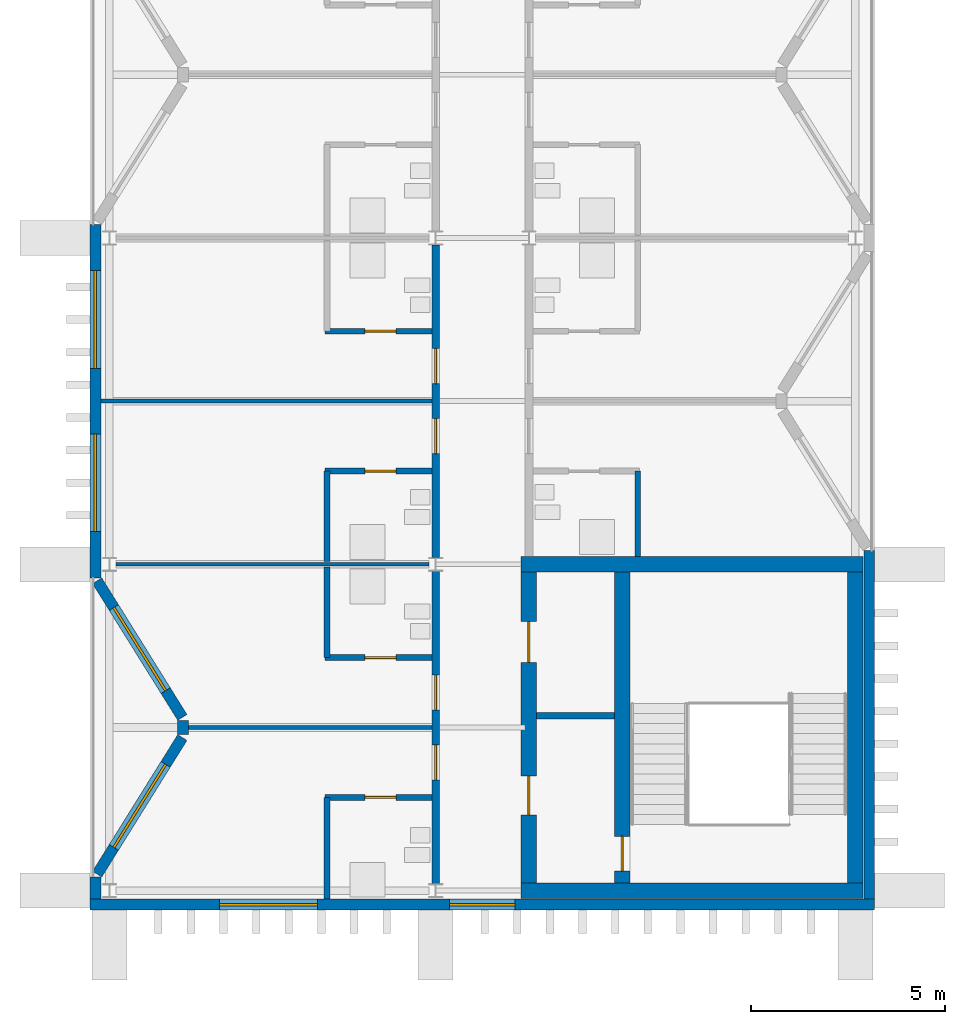
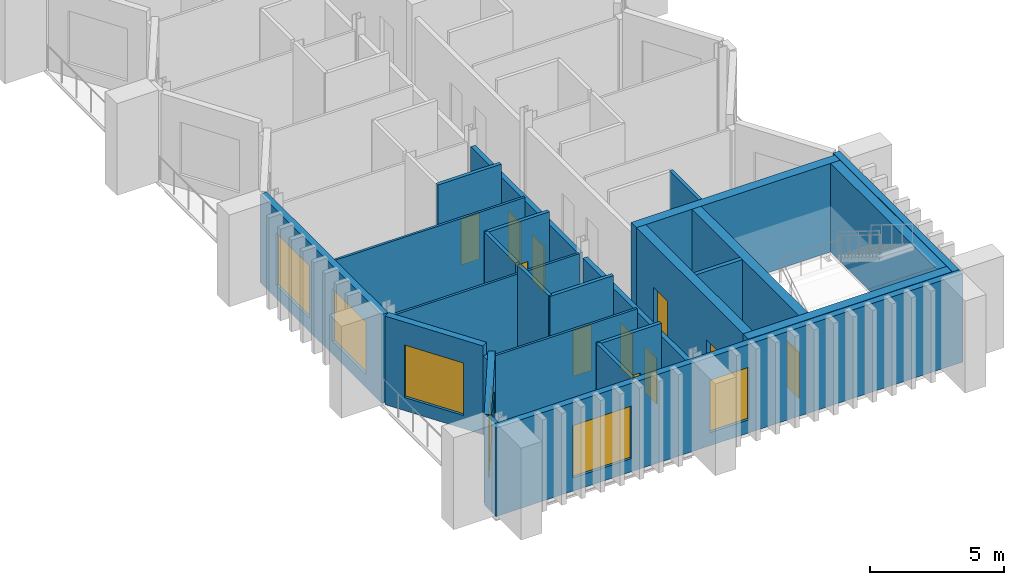
# One storey, part 4 of 11: 26 walls, 11 doors, 6 windows, 17 openings.
"""IFC4 building model written with IfcOpenShell, lengths in metres."""

from ifc_helpers import new_model, si_unit, direction, frame, frame_2d, origin, place, context, subcontext, project, spatial, rectangle, extrude, material, layer, layer_set, type_object, element, fill, save


model = new_model("IFC4")

# Units and contexts
model_context = context("Model", 3, precision=1e-05, world=origin(), true_north=direction((0.0, 1.0)))
body_context = subcontext(model_context, "Body", "Model", "MODEL_VIEW")
ifc_project = project(units=[si_unit("LENGTHUNIT", "METRE"), si_unit("AREAUNIT", "SQUARE_METRE"), si_unit("VOLUMEUNIT", "CUBIC_METRE"), si_unit("PLANEANGLEUNIT", "RADIAN"), si_unit("MASSUNIT", "GRAM", prefix="KILO")], contexts=[model_context])

# Site, building, storey
site_placement = place(None, origin())
site = spatial("IfcSite", under=ifc_project, at=site_placement, CompositionType="ELEMENT")
building_placement = place(site_placement, origin())
building = spatial("IfcBuilding", under=site, at=building_placement, Name="Cresset Court Congress Hotel", CompositionType="ELEMENT")
storey_placement = place(building_placement, frame((0.0, 0.0, 48.0)))
storey = spatial("IfcBuildingStorey", under=building, at=storey_placement, Name="L11", CompositionType="ELEMENT", Elevation=48.0)

# Wall, openings, doors
ifc_material_1 = material(Name="Gypsum board partition")
ifc_layer_1 = layer(ifc_material_1, 0.199951171875)
ifc_layer_set_1 = layer_set([ifc_layer_1], Name="Corridor wall 200")
wall_type_1 = type_object("IfcWallType", Name="Corridor wall 200", PredefinedType="PARTITIONING", material=ifc_layer_set_1)
wall_1_placement = place(storey_placement, frame((165.60009765625, 0.175048828125, 0.0), z_axis=(0.0, 0.0, 1.0), x_axis=(0.0, 1.0, 0.0)))
wall_1 = element("IfcWall", 1, at=wall_1_placement, inside=storey, type_object=wall_type_1, Name="A.wl.L11.070", PredefinedType="PARTITIONING", context=body_context, shape_type="SweptSolid", body=[
    extrude(rectangle(XDim=8.050048828125, YDim=0.199951171875, at=frame_2d((4.02490234375, 0.0))), origin(), (0.0, 0.0, 1.0), 3.449951171875),
])
opening_1_placement = place(wall_1_placement, frame((2.675048828125, 0.0, 0.0)))
opening_1 = element("IfcOpeningElement", 2, at=opening_1_placement, cuts=wall_1, Name="Opening DA-11-02", PredefinedType="OPENING", context=body_context, shape_type="SweptSolid", body=[
    extrude(rectangle(XDim=0.89990234375, YDim=2.10009765625, at=frame_2d((0.449951171875, 1.050048828125))), frame((0.0, 0.10986328125, 0.0), z_axis=(0.0, -1.0, 0.0), x_axis=(1.0, 0.0, 0.0)), (0.0, 0.0, 1.0), 0.219970703125),
])
opening_2_placement = place(wall_1_placement, frame((4.47509765625, 0.0, 0.0)))
opening_2 = element("IfcOpeningElement", 3, at=opening_2_placement, cuts=wall_1, Name="Opening DA-11-04", PredefinedType="OPENING", context=body_context, shape_type="SweptSolid", body=[
    extrude(rectangle(XDim=0.89990234375, YDim=2.10009765625, at=frame_2d((0.449951171875, 1.050048828125))), frame((0.0, 0.10986328125, 0.0), z_axis=(0.0, -1.0, 0.0), x_axis=(1.0, 0.0, 0.0)), (0.0, 0.0, 1.0), 0.219970703125),
])
ifc_material_2 = material(Name="timber", Category="wood")
door_type_1 = type_object("IfcDoorType", Name="Guest-room entry door 900x2100 FD30S", OperationType="SINGLE_SWING_LEFT", PredefinedType="DOOR", material=ifc_material_2)
door_1_placement = place(opening_1_placement, origin())
door_1 = element("IfcDoor", 4, at=door_1_placement, inside=storey, type_object=door_type_1, Name="Door DA-11-02", OperationType="SINGLE_SWING_RIGHT", OverallHeight=2.10009765625, OverallWidth=0.89990234375, PredefinedType="DOOR", context=body_context, shape_type="SweptSolid", body=[
    extrude(rectangle(XDim=0.89990234375, YDim=2.10009765625, at=frame_2d((0.449951171875, 1.050048828125))), frame((0.0, 0.02490234375, 0.0), z_axis=(0.0, -1.0, 0.0), x_axis=(1.0, 0.0, 0.0)), (0.0, 0.0, 1.0), 0.050048828125),
])
fill(opening_1, door_1)
door_2_placement = place(opening_2_placement, origin())
door_2 = element("IfcDoor", 5, at=door_2_placement, inside=storey, type_object=door_type_1, Name="Door DA-11-04", OperationType="SINGLE_SWING_LEFT", OverallHeight=2.10009765625, OverallWidth=0.89990234375, PredefinedType="DOOR", context=body_context, shape_type="SweptSolid", body=[
    extrude(rectangle(XDim=0.89990234375, YDim=2.10009765625, at=frame_2d((0.449951171875, 1.050048828125))), frame((0.0, 0.02490234375, 0.0), z_axis=(0.0, -1.0, 0.0), x_axis=(1.0, 0.0, 0.0)), (0.0, 0.0, 1.0), 0.050048828125),
])
fill(opening_2, door_2)

wall_2_placement = place(storey_placement, frame((165.60009765625, 8.574951171875, 0.0), z_axis=(0.0, 0.0, 1.0), x_axis=(0.0, 1.0, 0.0)))
wall_2 = element("IfcWall", 6, at=wall_2_placement, inside=storey, type_object=wall_type_1, Name="A.wl.L11.071", PredefinedType="PARTITIONING", context=body_context, shape_type="SweptSolid", body=[
    extrude(rectangle(XDim=8.050048828125, YDim=0.199951171875, at=frame_2d((4.02490234375, 0.0))), origin(), (0.0, 0.0, 1.0), 3.449951171875),
])
opening_3_placement = place(wall_2_placement, frame((2.675048828125, 0.0, 0.0)))
opening_3 = element("IfcOpeningElement", 7, at=opening_3_placement, cuts=wall_2, Name="Opening DA-11-06", PredefinedType="OPENING", context=body_context, shape_type="SweptSolid", body=[
    extrude(rectangle(XDim=0.89990234375, YDim=2.10009765625, at=frame_2d((0.449951171875, 1.050048828125))), frame((0.0, 0.10986328125, 0.0), z_axis=(0.0, -1.0, 0.0), x_axis=(1.0, 0.0, 0.0)), (0.0, 0.0, 1.0), 0.219970703125),
])
opening_4_placement = place(wall_2_placement, frame((4.47509765625, 0.0, 0.0)))
opening_4 = element("IfcOpeningElement", 8, at=opening_4_placement, cuts=wall_2, Name="Opening DA-11-08", PredefinedType="OPENING", context=body_context, shape_type="SweptSolid", body=[
    extrude(rectangle(XDim=0.89990234375, YDim=2.10009765625, at=frame_2d((0.449951171875, 1.050048828125))), frame((0.0, 0.10986328125, 0.0), z_axis=(0.0, -1.0, 0.0), x_axis=(1.0, 0.0, 0.0)), (0.0, 0.0, 1.0), 0.219970703125),
])
door_3_placement = place(opening_3_placement, origin())
door_3 = element("IfcDoor", 9, at=door_3_placement, inside=storey, type_object=door_type_1, Name="Door DA-11-06", OperationType="SINGLE_SWING_RIGHT", OverallHeight=2.10009765625, OverallWidth=0.89990234375, PredefinedType="DOOR", context=body_context, shape_type="SweptSolid", body=[
    extrude(rectangle(XDim=0.89990234375, YDim=2.10009765625, at=frame_2d((0.449951171875, 1.050048828125))), frame((0.0, 0.02490234375, 0.0), z_axis=(0.0, -1.0, 0.0), x_axis=(1.0, 0.0, 0.0)), (0.0, 0.0, 1.0), 0.050048828125),
])
fill(opening_3, door_3)
door_4_placement = place(opening_4_placement, origin())
door_4 = element("IfcDoor", 10, at=door_4_placement, inside=storey, type_object=door_type_1, Name="Door DA-11-08", OperationType="SINGLE_SWING_LEFT", OverallHeight=2.10009765625, OverallWidth=0.89990234375, PredefinedType="DOOR", context=body_context, shape_type="SweptSolid", body=[
    extrude(rectangle(XDim=0.89990234375, YDim=2.10009765625, at=frame_2d((0.449951171875, 1.050048828125))), frame((0.0, 0.02490234375, 0.0), z_axis=(0.0, -1.0, 0.0), x_axis=(1.0, 0.0, 0.0)), (0.0, 0.0, 1.0), 0.050048828125),
])
fill(opening_4, door_4)

# Wall
ifc_material_3 = material(Name="Gypsum board partition")
ifc_layer_2 = layer(ifc_material_3, 0.14990234375)
ifc_layer_set_2 = layer_set([ifc_layer_2], Name="En-suite wall 150")
wall_type_2 = type_object("IfcWallType", Name="En-suite wall 150", PredefinedType="PARTITIONING", material=ifc_layer_set_2)
wall_3_placement = place(storey_placement, frame((162.800048828125, -0.219970703125, 0.0), z_axis=(0.0, 0.0, 1.0), x_axis=(0.0, 1.0, 0.0)))
element("IfcWall", 11, at=wall_3_placement, inside=storey, type_object=wall_type_2, Name="A.wl.L11.001", PredefinedType="PARTITIONING", context=body_context, shape_type="SweptSolid", body=[
    extrude(rectangle(XDim=2.619873046875, YDim=0.14990234375, at=frame_2d((1.31005859375, 0.0))), origin(), (0.0, 0.0, 1.0), 4.050048828125),
])

# Wall, opening, door
wall_4_placement = place(storey_placement, frame((162.75, 2.39990234375, 0.0), z_axis=(0.0, 0.0, 1.0), x_axis=(1.0, 0.0, 0.0)))
wall_4 = element("IfcWall", 12, at=wall_4_placement, inside=storey, type_object=wall_type_2, Name="A.wl.L11.002", PredefinedType="PARTITIONING", context=body_context, shape_type="SweptSolid", body=[
    extrude(rectangle(XDim=2.75, YDim=0.14990234375, at=frame_2d((1.375, 0.0))), origin(), (0.0, 0.0, 1.0), 4.050048828125),
])
opening_5_placement = place(wall_4_placement, frame((1.030029296875, 0.0, 0.0)))
opening_5 = element("IfcOpeningElement", 13, at=opening_5_placement, cuts=wall_4, Name="Opening DA-11-01", PredefinedType="OPENING", context=body_context, shape_type="SweptSolid", body=[
    extrude(rectangle(XDim=0.800048828125, YDim=2.10009765625, at=frame_2d((0.39990234375, 1.050048828125))), frame((0.0, 0.0849609375, 0.0), z_axis=(0.0, -1.0, 0.0), x_axis=(1.0, 0.0, 0.0)), (0.0, 0.0, 1.0), 0.169921875),
])
ifc_material_4 = material(Name="timber", Category="wood")
door_type_2 = type_object("IfcDoorType", Name="En-suite door 800x2100", OperationType="SINGLE_SWING_LEFT", PredefinedType="DOOR", material=ifc_material_4)
door_5_placement = place(opening_5_placement, origin())
door_5 = element("IfcDoor", 14, at=door_5_placement, inside=storey, type_object=door_type_2, Name="Door DA-11-01", OperationType="SINGLE_SWING_RIGHT", OverallHeight=2.10009765625, OverallWidth=0.800048828125, PredefinedType="DOOR", context=body_context, shape_type="SweptSolid", body=[
    extrude(rectangle(XDim=0.800048828125, YDim=2.10009765625, at=frame_2d((0.39990234375, 1.050048828125))), frame((0.0, 0.02490234375, 0.0), z_axis=(0.0, -1.0, 0.0), x_axis=(1.0, 0.0, 0.0)), (0.0, 0.0, 1.0), 0.050048828125),
])
fill(opening_5, door_5)

# Wall
wall_5_placement = place(storey_placement, frame((162.800048828125, 6.0, 0.0), z_axis=(0.0, 0.0, 1.0), x_axis=(0.0, 1.0, 0.0)))
element("IfcWall", 15, at=wall_5_placement, inside=storey, type_object=wall_type_2, Name="A.wl.L11.003", PredefinedType="PARTITIONING", context=body_context, shape_type="SweptSolid", body=[
    extrude(rectangle(XDim=2.324951171875, YDim=0.14990234375, at=frame_2d((1.16259765625, 0.0))), origin(), (0.0, 0.0, 1.0), 4.050048828125),
])

# Wall, opening, door
wall_6_placement = place(storey_placement, frame((162.75, 6.0, 0.0), z_axis=(0.0, 0.0, 1.0), x_axis=(1.0, 0.0, 0.0)))
wall_6 = element("IfcWall", 16, at=wall_6_placement, inside=storey, type_object=wall_type_2, Name="A.wl.L11.004", PredefinedType="PARTITIONING", context=body_context, shape_type="SweptSolid", body=[
    extrude(rectangle(XDim=2.75, YDim=0.14990234375, at=frame_2d((1.375, 0.0))), origin(), (0.0, 0.0, 1.0), 4.050048828125),
])
opening_6_placement = place(wall_6_placement, frame((1.030029296875, 0.0, 0.0)))
opening_6 = element("IfcOpeningElement", 17, at=opening_6_placement, cuts=wall_6, Name="Opening DA-11-03", PredefinedType="OPENING", context=body_context, shape_type="SweptSolid", body=[
    extrude(rectangle(XDim=0.800048828125, YDim=2.10009765625, at=frame_2d((0.39990234375, 1.050048828125))), frame((0.0, 0.0849609375, 0.0), z_axis=(0.0, -1.0, 0.0), x_axis=(1.0, 0.0, 0.0)), (0.0, 0.0, 1.0), 0.169921875),
])
door_6_placement = place(opening_6_placement, origin())
door_6 = element("IfcDoor", 18, at=door_6_placement, inside=storey, type_object=door_type_2, Name="Door DA-11-03", OperationType="SINGLE_SWING_LEFT", OverallHeight=2.10009765625, OverallWidth=0.800048828125, PredefinedType="DOOR", context=body_context, shape_type="SweptSolid", body=[
    extrude(rectangle(XDim=0.800048828125, YDim=2.10009765625, at=frame_2d((0.39990234375, 1.050048828125))), frame((0.0, 0.02490234375, 0.0), z_axis=(0.0, -1.0, 0.0), x_axis=(1.0, 0.0, 0.0)), (0.0, 0.0, 1.0), 0.050048828125),
])
fill(opening_6, door_6)

# Wall
wall_7_placement = place(storey_placement, frame((162.800048828125, 8.47509765625, 0.0), z_axis=(0.0, 0.0, 1.0), x_axis=(0.0, 1.0, 0.0)))
element("IfcWall", 19, at=wall_7_placement, inside=storey, type_object=wall_type_2, Name="A.wl.L11.005", PredefinedType="PARTITIONING", context=body_context, shape_type="SweptSolid", body=[
    extrude(rectangle(XDim=2.324951171875, YDim=0.14990234375, at=frame_2d((1.16259765625, 0.0))), origin(), (0.0, 0.0, 1.0), 4.050048828125),
])

# Wall, opening, door
wall_8_placement = place(storey_placement, frame((162.75, 10.800048828125, 0.0), z_axis=(0.0, 0.0, 1.0), x_axis=(1.0, 0.0, 0.0)))
wall_8 = element("IfcWall", 20, at=wall_8_placement, inside=storey, type_object=wall_type_2, Name="A.wl.L11.006", PredefinedType="PARTITIONING", context=body_context, shape_type="SweptSolid", body=[
    extrude(rectangle(XDim=2.75, YDim=0.14990234375, at=frame_2d((1.375, 0.0))), origin(), (0.0, 0.0, 1.0), 4.050048828125),
])
opening_7_placement = place(wall_8_placement, frame((1.030029296875, 0.0, 0.0)))
opening_7 = element("IfcOpeningElement", 21, at=opening_7_placement, cuts=wall_8, Name="Opening DA-11-05", PredefinedType="OPENING", context=body_context, shape_type="SweptSolid", body=[
    extrude(rectangle(XDim=0.800048828125, YDim=2.10009765625, at=frame_2d((0.39990234375, 1.050048828125))), frame((0.0, 0.0849609375, 0.0), z_axis=(0.0, -1.0, 0.0), x_axis=(1.0, 0.0, 0.0)), (0.0, 0.0, 1.0), 0.169921875),
])
door_7_placement = place(opening_7_placement, origin())
door_7 = element("IfcDoor", 22, at=door_7_placement, inside=storey, type_object=door_type_2, Name="Door DA-11-05", OperationType="SINGLE_SWING_RIGHT", OverallHeight=2.10009765625, OverallWidth=0.800048828125, PredefinedType="DOOR", context=body_context, shape_type="SweptSolid", body=[
    extrude(rectangle(XDim=0.800048828125, YDim=2.10009765625, at=frame_2d((0.39990234375, 1.050048828125))), frame((0.0, 0.02490234375, 0.0), z_axis=(0.0, -1.0, 0.0), x_axis=(1.0, 0.0, 0.0)), (0.0, 0.0, 1.0), 0.050048828125),
])
fill(opening_7, door_7)

wall_9_placement = place(storey_placement, frame((162.75, 14.39990234375, 0.0), z_axis=(0.0, 0.0, 1.0), x_axis=(1.0, 0.0, 0.0)))
wall_9 = element("IfcWall", 23, at=wall_9_placement, inside=storey, type_object=wall_type_2, Name="A.wl.L11.008", PredefinedType="PARTITIONING", context=body_context, shape_type="SweptSolid", body=[
    extrude(rectangle(XDim=2.75, YDim=0.14990234375, at=frame_2d((1.375, 0.0))), origin(), (0.0, 0.0, 1.0), 4.050048828125),
])
opening_8_placement = place(wall_9_placement, frame((1.030029296875, 0.0, 0.0)))
opening_8 = element("IfcOpeningElement", 24, at=opening_8_placement, cuts=wall_9, Name="Opening DA-11-07", PredefinedType="OPENING", context=body_context, shape_type="SweptSolid", body=[
    extrude(rectangle(XDim=0.800048828125, YDim=2.10009765625, at=frame_2d((0.39990234375, 1.050048828125))), frame((0.0, 0.0849609375, 0.0), z_axis=(0.0, -1.0, 0.0), x_axis=(1.0, 0.0, 0.0)), (0.0, 0.0, 1.0), 0.169921875),
])
door_8_placement = place(opening_8_placement, origin())
door_8 = element("IfcDoor", 25, at=door_8_placement, inside=storey, type_object=door_type_2, Name="Door DA-11-07", OperationType="SINGLE_SWING_LEFT", OverallHeight=2.10009765625, OverallWidth=0.800048828125, PredefinedType="DOOR", context=body_context, shape_type="SweptSolid", body=[
    extrude(rectangle(XDim=0.800048828125, YDim=2.10009765625, at=frame_2d((0.39990234375, 1.050048828125))), frame((0.0, 0.02490234375, 0.0), z_axis=(0.0, -1.0, 0.0), x_axis=(1.0, 0.0, 0.0)), (0.0, 0.0, 1.0), 0.050048828125),
])
fill(opening_8, door_8)

# Walls
wall_10_placement = place(storey_placement, frame((170.800048828125, 8.60009765625, 0.0), z_axis=(0.0, 0.0, 1.0), x_axis=(0.0, 1.0, 0.0)))
element("IfcWall", 26, at=wall_10_placement, inside=storey, type_object=wall_type_2, Name="A.wl.L11.033", PredefinedType="PARTITIONING", context=body_context, shape_type="SweptSolid", body=[
    extrude(rectangle(XDim=2.199951171875, YDim=0.14990234375, at=frame_2d((1.10009765625, 0.0))), origin(), (0.0, 0.0, 1.0), 4.050048828125),
])
ifc_material_5 = material(Name="Precast concrete C50", Category="concrete")
ifc_layer_3 = layer(ifc_material_5, 0.280029296875)
ifc_layer_set_3 = layer_set([ifc_layer_3], Name="External wall 280")
wall_type_3 = type_object("IfcWallType", Name="External wall 280", PredefinedType="SOLIDWALL", material=ifc_layer_set_3)
wall_11_placement = place(storey_placement, frame((156.840087890625, -0.219970703125, 0.0), z_axis=(0.0, 0.0, 1.0), x_axis=(0.0, 1.0, 0.0)))
element("IfcWall", 27, at=wall_11_placement, inside=storey, type_object=wall_type_3, Name="A.ew.L11.W.1", PredefinedType="SOLIDWALL", context=body_context, shape_type="SweptSolid", body=[
    extrude(rectangle(XDim=0.570068359375, YDim=0.280029296875, at=frame_2d((0.28515625, 0.0))), origin(), (0.0, 0.0, 1.0), 4.050048828125),
])

# Wall, opening, window
wall_12_placement = place(storey_placement, frame((156.88623046875, 0.424072265625, 0.0), z_axis=(0.0, 0.0, 1.0), x_axis=(0.529018946142, 0.848610013271, 0.0)))
wall_12 = element("IfcWall", 28, at=wall_12_placement, inside=storey, type_object=wall_type_3, Name="A.ew.L11.Wn.0.0", PredefinedType="SOLIDWALL", context=body_context, shape_type="SweptSolid", body=[
    extrude(rectangle(XDim=4.144287109375, YDim=0.280029296875, at=frame_2d((2.072265625, 0.0))), origin(), (0.0, 0.0, 1.0), 4.050048828125),
])
opening_9_placement = place(wall_12_placement, frame((0.812255859375, 0.0, 0.60009765625)))
opening_9 = element("IfcOpeningElement", 29, at=opening_9_placement, cuts=wall_12, Name="Opening NA-11-01", PredefinedType="OPENING", context=body_context, shape_type="SweptSolid", body=[
    extrude(rectangle(XDim=2.52001953125, YDim=2.39990234375, at=frame_2d((1.260009765625, 1.199951171875))), frame((0.0, 0.14990234375, 0.0), z_axis=(0.0, -1.0, 0.0), x_axis=(1.0, 0.0, 0.0)), (0.0, 0.0, 1.0), 0.300048828125),
])
ifc_material_6 = material(Name="Aluminium and glass", Category="aluminium")
window_type_1 = type_object("IfcWindowType", Name="Window 2520x2400", PartitioningType="SINGLE_PANEL", PredefinedType="WINDOW", material=ifc_material_6)
window_1_placement = place(opening_9_placement, origin())
window_1 = element("IfcWindow", 30, at=window_1_placement, inside=storey, type_object=window_type_1, Name="Window NA-11-01", OverallHeight=2.39990234375, OverallWidth=2.52001953125, PartitioningType="SINGLE_PANEL", PredefinedType="WINDOW", context=body_context, shape_type="SweptSolid", body=[
    extrude(rectangle(XDim=2.52001953125, YDim=2.39990234375, at=frame_2d((1.260009765625, 1.199951171875))), frame((0.0, 0.030029296875, 0.0), z_axis=(0.0, -1.0, 0.0), x_axis=(1.0, 0.0, 0.0)), (0.0, 0.0, 1.0), 0.06005859375),
])
fill(opening_9, window_1)

wall_13_placement = place(storey_placement, frame((159.07861328125, 4.458984375, 0.0), z_axis=(0.0, 0.0, 1.0), x_axis=(-0.529018946142, 0.848610013271, 0.0)))
wall_13 = element("IfcWall", 31, at=wall_13_placement, inside=storey, type_object=wall_type_3, Name="A.ew.L11.Wn.0.1", PredefinedType="SOLIDWALL", context=body_context, shape_type="SweptSolid", body=[
    extrude(rectangle(XDim=4.144287109375, YDim=0.280029296875, at=frame_2d((2.072265625, 0.0))), origin(), (0.0, 0.0, 1.0), 4.050048828125),
])
opening_10_placement = place(wall_13_placement, frame((0.812255859375, 0.0, 0.60009765625)))
opening_10 = element("IfcOpeningElement", 32, at=opening_10_placement, cuts=wall_13, Name="Opening NA-11-02", PredefinedType="OPENING", context=body_context, shape_type="SweptSolid", body=[
    extrude(rectangle(XDim=2.52001953125, YDim=2.39990234375, at=frame_2d((1.260009765625, 1.199951171875))), frame((0.0, 0.14990234375, 0.0), z_axis=(0.0, -1.0, 0.0), x_axis=(1.0, 0.0, 0.0)), (0.0, 0.0, 1.0), 0.300048828125),
])
window_2_placement = place(opening_10_placement, origin())
window_2 = element("IfcWindow", 33, at=window_2_placement, inside=storey, type_object=window_type_1, Name="Window NA-11-02", OverallHeight=2.39990234375, OverallWidth=2.52001953125, PartitioningType="SINGLE_PANEL", PredefinedType="WINDOW", context=body_context, shape_type="SweptSolid", body=[
    extrude(rectangle(XDim=2.52001953125, YDim=2.39990234375, at=frame_2d((1.260009765625, 1.199951171875))), frame((0.0, 0.030029296875, 0.0), z_axis=(0.0, -1.0, 0.0), x_axis=(1.0, 0.0, 0.0)), (0.0, 0.0, 1.0), 0.06005859375),
])
fill(opening_10, window_2)

# Wall
wall_14_placement = place(storey_placement, frame((159.099609375, 4.01513671875, 0.0), z_axis=(0.0, 0.0, 1.0), x_axis=(0.0, 1.0, 0.0)))
element("IfcWall", 34, at=wall_14_placement, inside=storey, type_object=wall_type_3, Name="A.ew.L11.Wn.0.2", PredefinedType="SOLIDWALL", context=body_context, shape_type="SweptSolid", body=[
    extrude(rectangle(XDim=0.369873046875, YDim=0.280029296875, at=frame_2d((0.18505859375, 0.0))), origin(), (0.0, 0.0, 1.0), 3.60400390625),
])

# Wall, openings, windows
wall_15_placement = place(storey_placement, frame((156.840087890625, 8.050048828125, 0.0), z_axis=(0.0, 0.0, 1.0), x_axis=(0.0, 1.0, 0.0)))
wall_15 = element("IfcWall", 35, at=wall_15_placement, inside=storey, type_object=wall_type_3, Name="A.ew.L11.W.2", PredefinedType="SOLIDWALL", context=body_context, shape_type="SweptSolid", body=[
    extrude(rectangle(XDim=9.099853515625, YDim=0.280029296875, at=frame_2d((4.5498046875, 0.0))), origin(), (0.0, 0.0, 1.0), 4.050048828125),
])
opening_11_placement = place(wall_15_placement, frame((1.18994140625, 0.0, 0.60009765625)))
opening_11 = element("IfcOpeningElement", 36, at=opening_11_placement, cuts=wall_15, Name="Opening NA-11-03", PredefinedType="OPENING", context=body_context, shape_type="SweptSolid", body=[
    extrude(rectangle(XDim=2.52001953125, YDim=2.39990234375, at=frame_2d((1.260009765625, 1.199951171875))), frame((0.0, 0.14990234375, 0.0), z_axis=(0.0, -1.0, 0.0), x_axis=(1.0, 0.0, 0.0)), (0.0, 0.0, 1.0), 0.300048828125),
])
opening_12_placement = place(wall_15_placement, frame((5.389892578125, 0.0, 0.60009765625)))
opening_12 = element("IfcOpeningElement", 37, at=opening_12_placement, cuts=wall_15, Name="Opening NA-11-04", PredefinedType="OPENING", context=body_context, shape_type="SweptSolid", body=[
    extrude(rectangle(XDim=2.52001953125, YDim=2.39990234375, at=frame_2d((1.260009765625, 1.199951171875))), frame((0.0, 0.14990234375, 0.0), z_axis=(0.0, -1.0, 0.0), x_axis=(1.0, 0.0, 0.0)), (0.0, 0.0, 1.0), 0.300048828125),
])
window_3_placement = place(opening_11_placement, origin())
window_3 = element("IfcWindow", 38, at=window_3_placement, inside=storey, type_object=window_type_1, Name="Window NA-11-03", OverallHeight=2.39990234375, OverallWidth=2.52001953125, PartitioningType="SINGLE_PANEL", PredefinedType="WINDOW", context=body_context, shape_type="SweptSolid", body=[
    extrude(rectangle(XDim=2.52001953125, YDim=2.39990234375, at=frame_2d((1.260009765625, 1.199951171875))), frame((0.0, 0.030029296875, 0.0), z_axis=(0.0, -1.0, 0.0), x_axis=(1.0, 0.0, 0.0)), (0.0, 0.0, 1.0), 0.06005859375),
])
fill(opening_11, window_3)
window_4_placement = place(opening_12_placement, origin())
window_4 = element("IfcWindow", 39, at=window_4_placement, inside=storey, type_object=window_type_1, Name="Window NA-11-04", OverallHeight=2.39990234375, OverallWidth=2.52001953125, PartitioningType="SINGLE_PANEL", PredefinedType="WINDOW", context=body_context, shape_type="SweptSolid", body=[
    extrude(rectangle(XDim=2.52001953125, YDim=2.39990234375, at=frame_2d((1.260009765625, 1.199951171875))), frame((0.0, 0.030029296875, 0.0), z_axis=(0.0, -1.0, 0.0), x_axis=(1.0, 0.0, 0.0)), (0.0, 0.0, 1.0), 0.06005859375),
])
fill(opening_12, window_4)

# Wall
wall_16_placement = place(storey_placement, frame((176.760009765625, -0.219970703125, 0.0), z_axis=(0.0, 0.0, 1.0), x_axis=(0.0, 1.0, 0.0)))
element("IfcWall", 40, at=wall_16_placement, inside=storey, type_object=wall_type_3, Name="A.ew.L11.E.1", PredefinedType="SOLIDWALL", context=body_context, shape_type="SweptSolid", body=[
    extrude(rectangle(XDim=8.969970703125, YDim=0.280029296875, at=frame_2d((4.48486328125, 0.0))), origin(), (0.0, 0.0, 1.0), 4.050048828125),
])

# Wall, openings, windows
ifc_material_7 = material(Name="Precast concrete C50", Category="concrete")
ifc_layer_4 = layer(ifc_material_7, 0.280029296875)
ifc_layer_set_4 = layer_set([ifc_layer_4], Name="Gable end wall 280")
wall_type_4 = type_object("IfcWallType", Name="Gable end wall 280", PredefinedType="SOLIDWALL", material=ifc_layer_set_4)
wall_17_placement = place(storey_placement, frame((156.699951171875, -0.360107421875, 0.0), z_axis=(0.0, 0.0, 1.0), x_axis=(1.0, 0.0, 0.0)))
wall_17 = element("IfcWall", 41, at=wall_17_placement, inside=storey, type_object=wall_type_4, Name="A.ew.L11.S.1", PredefinedType="SOLIDWALL", context=body_context, shape_type="SweptSolid", body=[
    extrude(rectangle(XDim=20.199951171875, YDim=0.280029296875, at=frame_2d((10.10009765625, 0.0))), origin(), (0.0, 0.0, 1.0), 4.050048828125),
])
opening_13_placement = place(wall_17_placement, frame((9.260009765625, 0.0, 0.60009765625)))
opening_13 = element("IfcOpeningElement", 42, at=opening_13_placement, cuts=wall_17, Name="Opening NA-11-25", PredefinedType="OPENING", context=body_context, shape_type="SweptSolid", body=[
    extrude(rectangle(XDim=1.679931640625, YDim=2.39990234375, at=frame_2d((0.83984375, 1.199951171875))), frame((0.0, 0.14990234375, 0.0), z_axis=(0.0, -1.0, 0.0), x_axis=(1.0, 0.0, 0.0)), (0.0, 0.0, 1.0), 0.300048828125),
])
opening_14_placement = place(wall_17_placement, frame((3.340087890625, 0.0, 0.60009765625)))
opening_14 = element("IfcOpeningElement", 43, at=opening_14_placement, cuts=wall_17, Name="Opening NA-11-26", PredefinedType="OPENING", context=body_context, shape_type="SweptSolid", body=[
    extrude(rectangle(XDim=2.52001953125, YDim=2.39990234375, at=frame_2d((1.260009765625, 1.199951171875))), frame((0.0, 0.14990234375, 0.0), z_axis=(0.0, -1.0, 0.0), x_axis=(1.0, 0.0, 0.0)), (0.0, 0.0, 1.0), 0.300048828125),
])
ifc_material_8 = material(Name="Aluminium and glass", Category="aluminium")
window_type_2 = type_object("IfcWindowType", Name="Window 1680x2400", PartitioningType="SINGLE_PANEL", PredefinedType="WINDOW", material=ifc_material_8)
window_5_placement = place(opening_13_placement, origin())
window_5 = element("IfcWindow", 44, at=window_5_placement, inside=storey, type_object=window_type_2, Name="Window NA-11-25", OverallHeight=2.39990234375, OverallWidth=1.679931640625, PartitioningType="SINGLE_PANEL", PredefinedType="WINDOW", context=body_context, shape_type="SweptSolid", body=[
    extrude(rectangle(XDim=1.679931640625, YDim=2.39990234375, at=frame_2d((0.83984375, 1.199951171875))), frame((0.0, 0.030029296875, 0.0), z_axis=(0.0, -1.0, 0.0), x_axis=(1.0, 0.0, 0.0)), (0.0, 0.0, 1.0), 0.06005859375),
])
fill(opening_13, window_5)
window_6_placement = place(opening_14_placement, origin())
window_6 = element("IfcWindow", 45, at=window_6_placement, inside=storey, type_object=window_type_1, Name="Window NA-11-26", OverallHeight=2.39990234375, OverallWidth=2.52001953125, PartitioningType="SINGLE_PANEL", PredefinedType="WINDOW", context=body_context, shape_type="SweptSolid", body=[
    extrude(rectangle(XDim=2.52001953125, YDim=2.39990234375, at=frame_2d((1.260009765625, 1.199951171875))), frame((0.0, 0.030029296875, 0.0), z_axis=(0.0, -1.0, 0.0), x_axis=(1.0, 0.0, 0.0)), (0.0, 0.0, 1.0), 0.06005859375),
])
fill(opening_14, window_6)

# Walls
ifc_material_9 = material(Name="Gypsum board partition")
ifc_layer_5 = layer(ifc_material_9, 0.10009765625)
ifc_layer_set_5 = layer_set([ifc_layer_5], Name="Guest-room partition 100")
wall_type_5 = type_object("IfcWallType", Name="Guest-room partition 100", PredefinedType="PARTITIONING", material=ifc_layer_set_5)
wall_18_placement = place(storey_placement, frame((157.375, 8.39990234375, 0.0), z_axis=(0.0, 0.0, 1.0), x_axis=(1.0, 0.0, 0.0)))
element("IfcWall", 46, at=wall_18_placement, inside=storey, type_object=wall_type_5, Name="A.wl.L11.049", PredefinedType="PARTITIONING", context=body_context, shape_type="SweptSolid", body=[
    extrude(rectangle(XDim=8.050048828125, YDim=0.10009765625, at=frame_2d((4.02490234375, 0.0))), origin(), (0.0, 0.0, 1.0), 3.60400390625),
])
wall_19_placement = place(storey_placement, frame((159.23974609375, 4.199951171875, 0.0), z_axis=(0.0, 0.0, 1.0), x_axis=(1.0, 0.0, 0.0)))
element("IfcWall", 47, at=wall_19_placement, inside=storey, type_object=wall_type_5, Name="A.wl.L11.058", PredefinedType="PARTITIONING", context=body_context, shape_type="SweptSolid", body=[
    extrude(rectangle(XDim=6.26025390625, YDim=0.10009765625, at=frame_2d((3.130126953125, 0.0))), origin(), (0.0, 0.0, 1.0), 3.60400390625),
])
wall_20_placement = place(storey_placement, frame((156.97998046875, 12.60009765625, 0.0), z_axis=(0.0, 0.0, 1.0), x_axis=(1.0, 0.0, 0.0)))
element("IfcWall", 48, at=wall_20_placement, inside=storey, type_object=wall_type_5, Name="A.wl.L11.059", PredefinedType="PARTITIONING", context=body_context, shape_type="SweptSolid", body=[
    extrude(rectangle(XDim=8.52001953125, YDim=0.10009765625, at=frame_2d((4.260009765625, 0.0))), origin(), (0.0, 0.0, 1.0), 3.60400390625),
])
ifc_material_10 = material(Name="Concrete block wall", Category="concrete")
ifc_layer_6 = layer(ifc_material_10, 0.175048828125)
ifc_layer_set_6 = layer_set([ifc_layer_6], Name="Riser shaft wall 175")
wall_type_6 = type_object("IfcWallType", Name="Riser shaft wall 175", PredefinedType="PARTITIONING", material=ifc_layer_set_6)
wall_21_placement = place(storey_placement, frame((168.199951171875, 4.5, 0.0), z_axis=(0.0, 0.0, 1.0), x_axis=(1.0, 0.0, 0.0)))
element("IfcWall", 49, at=wall_21_placement, inside=storey, type_object=wall_type_6, Name="A.wl.L11.083", PredefinedType="PARTITIONING", context=body_context, shape_type="SweptSolid", body=[
    extrude(rectangle(XDim=2.0, YDim=0.175048828125, at=frame_2d((1.0, 0.0))), origin(), (0.0, 0.0, 1.0), 4.050048828125),
])
ifc_material_11 = material(Name="Concrete C50", Category="concrete")
ifc_layer_7 = layer(ifc_material_11, 0.39990234375)
ifc_layer_set_7 = layer_set([ifc_layer_7], Name="Stair core wall 400")
wall_type_7 = type_object("IfcWallType", Name="Stair core wall 400", PredefinedType="SOLIDWALL", material=ifc_layer_set_7)
for number, where, z_axis, x_axis, name in (
    (50, (167.800048828125, 0.0, 0.0), (0.0, 0.0, 1.0), (1.0, 0.0, 0.0), "A.cw.ST-A1.L11.S"),
    (51, (167.800048828125, 8.39990234375, 0.0), (0.0, 0.0, 1.0), (1.0, 0.0, 0.0), "A.cw.ST-A1.L11.N"),
):
    element("IfcWall", number, at=place(storey_placement, frame(where, z_axis=z_axis, x_axis=x_axis)), inside=storey, type_object=wall_type_7, Name=name, PredefinedType="SOLIDWALL", context=body_context, shape_type="SweptSolid", body=[
        extrude(rectangle(XDim=8.800048828125, YDim=0.39990234375, at=frame_2d((4.39990234375, 0.0))), origin(), (0.0, 0.0, 1.0), 4.050048828125),
    ])

# Wall, openings, doors
wall_22_placement = place(storey_placement, frame((168.0, 0.199951171875, 0.0), z_axis=(0.0, 0.0, 1.0), x_axis=(0.0, 1.0, 0.0)))
wall_22 = element("IfcWall", 52, at=wall_22_placement, inside=storey, type_object=wall_type_7, Name="A.cw.ST-A1.L11.W", PredefinedType="SOLIDWALL", context=body_context, shape_type="SweptSolid", body=[
    extrude(rectangle(XDim=8.0, YDim=0.39990234375, at=frame_2d((4.0, 0.0))), origin(), (0.0, 0.0, 1.0), 4.050048828125),
])
opening_15_placement = place(wall_22_placement, frame((1.75, 0.0, 0.0)))
opening_15 = element("IfcOpeningElement", 53, at=opening_15_placement, cuts=wall_22, Name="Opening DA-11-50", PredefinedType="OPENING", context=body_context, shape_type="SweptSolid", body=[
    extrude(rectangle(XDim=1.0, YDim=2.10009765625, at=frame_2d((0.5, 1.050048828125))), frame((0.0, 0.2099609375, 0.0), z_axis=(0.0, -1.0, 0.0), x_axis=(1.0, 0.0, 0.0)), (0.0, 0.0, 1.0), 0.419921875),
])
opening_16_placement = place(wall_22_placement, frame((5.675048828125, 0.0, 0.0)))
opening_16 = element("IfcOpeningElement", 54, at=opening_16_placement, cuts=wall_22, Name="Opening DA-11-51", PredefinedType="OPENING", context=body_context, shape_type="SweptSolid", body=[
    extrude(rectangle(XDim=1.050048828125, YDim=2.10009765625, at=frame_2d((0.52490234375, 1.050048828125))), frame((0.0, 0.2099609375, 0.0), z_axis=(0.0, -1.0, 0.0), x_axis=(1.0, 0.0, 0.0)), (0.0, 0.0, 1.0), 0.419921875),
])
ifc_material_12 = material(Name="steel", Category="steel")
door_type_3 = type_object("IfcDoorType", Name="Housekeeping room door 1050x2100 FD30", OperationType="SINGLE_SWING_LEFT", PredefinedType="DOOR", material=ifc_material_12)
door_9_placement = place(opening_16_placement, origin())
door_9 = element("IfcDoor", 55, at=door_9_placement, inside=storey, type_object=door_type_3, Name="Door DA-11-51", OperationType="SINGLE_SWING_LEFT", OverallHeight=2.10009765625, OverallWidth=1.050048828125, PredefinedType="DOOR", context=body_context, shape_type="SweptSolid", body=[
    extrude(rectangle(XDim=1.050048828125, YDim=2.10009765625, at=frame_2d((0.52490234375, 1.050048828125))), frame((0.0, 0.02490234375, 0.0), z_axis=(0.0, -1.0, 0.0), x_axis=(1.0, 0.0, 0.0)), (0.0, 0.0, 1.0), 0.050048828125),
])
fill(opening_16, door_9)
ifc_material_13 = material(Name="steel", Category="steel")
door_type_4 = type_object("IfcDoorType", Name="Lobby door 1000x2100 FD60", OperationType="SINGLE_SWING_LEFT", PredefinedType="DOOR", material=ifc_material_13)
door_10_placement = place(opening_15_placement, origin())
door_10 = element("IfcDoor", 56, at=door_10_placement, inside=storey, type_object=door_type_4, Name="Door DA-11-50", OperationType="SINGLE_SWING_RIGHT", OverallHeight=2.10009765625, OverallWidth=1.0, PredefinedType="DOOR", context=body_context, shape_type="SweptSolid", body=[
    extrude(rectangle(XDim=1.0, YDim=2.10009765625, at=frame_2d((0.5, 1.050048828125))), frame((0.0, 0.02490234375, 0.0), z_axis=(0.0, -1.0, 0.0), x_axis=(1.0, 0.0, 0.0)), (0.0, 0.0, 1.0), 0.050048828125),
])
fill(opening_15, door_10)

# Wall
wall_23_placement = place(storey_placement, frame((176.39990234375, 0.199951171875, 0.0), z_axis=(0.0, 0.0, 1.0), x_axis=(0.0, 1.0, 0.0)))
element("IfcWall", 57, at=wall_23_placement, inside=storey, type_object=wall_type_7, Name="A.cw.ST-A1.L11.E", PredefinedType="SOLIDWALL", context=body_context, shape_type="SweptSolid", body=[
    extrude(rectangle(XDim=8.0, YDim=0.39990234375, at=frame_2d((4.0, 0.0))), origin(), (0.0, 0.0, 1.0), 4.050048828125),
])

# Wall, opening, door
wall_24_placement = place(storey_placement, frame((170.39990234375, 0.199951171875, 0.0), z_axis=(0.0, 0.0, 1.0), x_axis=(0.0, 1.0, 0.0)))
wall_24 = element("IfcWall", 58, at=wall_24_placement, inside=storey, type_object=wall_type_7, Name="A.wl.L11.082", PredefinedType="SOLIDWALL", context=body_context, shape_type="SweptSolid", body=[
    extrude(rectangle(XDim=8.0, YDim=0.39990234375, at=frame_2d((4.0, 0.0))), origin(), (0.0, 0.0, 1.0), 4.050048828125),
])
opening_17_placement = place(wall_24_placement, frame((0.300048828125, 0.0, 0.0)))
opening_17 = element("IfcOpeningElement", 59, at=opening_17_placement, cuts=wall_24, Name="Opening DA-11-49", PredefinedType="OPENING", context=body_context, shape_type="SweptSolid", body=[
    extrude(rectangle(XDim=0.89990234375, YDim=2.10009765625, at=frame_2d((0.449951171875, 1.050048828125))), frame((0.0, 0.2099609375, 0.0), z_axis=(0.0, -1.0, 0.0), x_axis=(1.0, 0.0, 0.0)), (0.0, 0.0, 1.0), 0.419921875),
])
ifc_material_14 = material(Name="steel", Category="steel")
door_type_5 = type_object("IfcDoorType", Name="Stair door 900x2100 FD60", OperationType="SINGLE_SWING_LEFT", PredefinedType="DOOR", material=ifc_material_14)
door_11_placement = place(opening_17_placement, origin())
door_11 = element("IfcDoor", 60, at=door_11_placement, inside=storey, type_object=door_type_5, Name="Door DA-11-49", OperationType="SINGLE_SWING_LEFT", OverallHeight=2.10009765625, OverallWidth=0.89990234375, PredefinedType="DOOR", context=body_context, shape_type="SweptSolid", body=[
    extrude(rectangle(XDim=0.89990234375, YDim=2.10009765625, at=frame_2d((0.449951171875, 1.050048828125))), frame((0.0, 0.02490234375, 0.0), z_axis=(0.0, -1.0, 0.0), x_axis=(1.0, 0.0, 0.0)), (0.0, 0.0, 1.0), 0.050048828125),
])
fill(opening_17, door_11)

save(model, "model.ifc")
